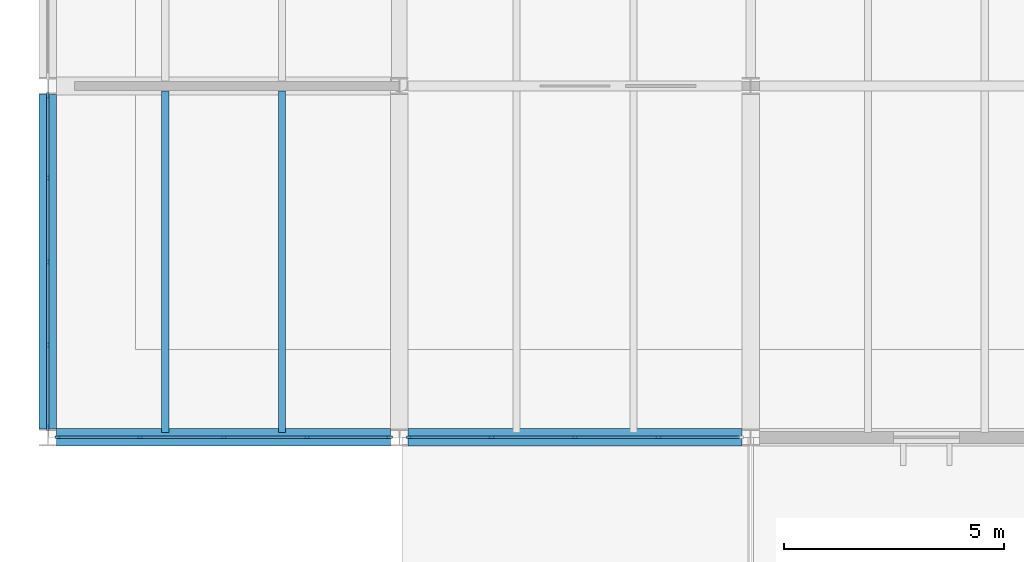
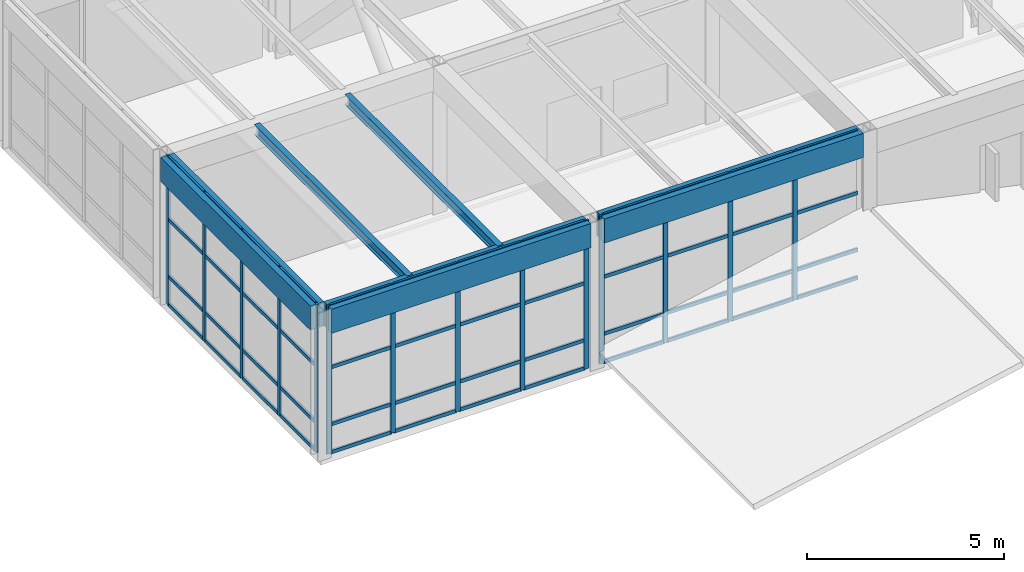
# One storey, part 9 of 60: 62 members, 5 beams, 3 elements without a shape of their own.
"""IFC4 building model written with IfcOpenShell, lengths in metres."""

from ifc_helpers import new_model, si_unit, direction, frame, origin, origin_2d, place, context, subcontext, project, spatial, rectangle, i_section, extrude, material, layer, layer_set, material_profile, profile_set, type_object, element, aggregate, save


model = new_model("IFC4")

# Units and contexts
model_context = context("Model", 3, precision=1e-05, world=origin(), true_north=direction((0.0, 1.0)))
body_context = subcontext(model_context, "Body", "Model", "MODEL_VIEW")
ifc_project = project(units=[si_unit("LENGTHUNIT", "METRE"), si_unit("AREAUNIT", "SQUARE_METRE"), si_unit("VOLUMEUNIT", "CUBIC_METRE"), si_unit("PLANEANGLEUNIT", "RADIAN"), si_unit("MASSUNIT", "GRAM", prefix="KILO")], contexts=[model_context])

# Site, building, storey
site_placement = place(None, origin())
site = spatial("IfcSite", under=ifc_project, at=site_placement, CompositionType="ELEMENT")
building_placement = place(site_placement, origin())
building = spatial("IfcBuilding", under=site, at=building_placement, Name="Varnela Railside Interchange", CompositionType="ELEMENT")
storey_placement = place(building_placement, frame((0.0, 0.0, 6.300048828125)))
storey = spatial("IfcBuildingStorey", under=building, at=storey_placement, Name="L01", CompositionType="ELEMENT", Elevation=6.300048828125)

# Beams
ifc_material_1 = material(Name="Steel AR 350 (350 MPa)", Category="steel")
ifc_material_profile_1 = material_profile(ifc_material_1, i_section(OverallWidth=0.1650390625, OverallDepth=0.31005859375, WebThickness=0.005859375, FlangeThickness=0.009765625, at=origin_2d()), Name="W310x38.7")
ifc_profile_set_1 = profile_set([ifc_material_profile_1], Name="Steel AR 350 (350 MPa)")
beam_type_1 = type_object("IfcBeamType", Name="Composite Floor Joist J-04", PredefinedType="JOIST", material=ifc_profile_set_1)
for number, where, z_axis, x_axis, name in (
    (1, (6.669921875, 38.114501953125, 4.445068359375), (0.0, 1.0, 0.0), (-1.0, 0.0, 0.0), "Composite Floor Joist J-04 (L01) (BM-1460)"),
    (2, (9.330078125, 38.114501953125, 4.445068359375), (0.0, 1.0, 0.0), (-1.0, 0.0, 0.0), "Composite Floor Joist J-04 (L01) (BM-1461)"),
):
    element("IfcBeam", number, at=place(storey_placement, frame(where, z_axis=z_axis, x_axis=x_axis)), inside=storey, type_object=beam_type_1, Name=name, PredefinedType="JOIST", context=body_context, shape_type="SweptSolid", body=[
        extrude(i_section(OverallWidth=0.1650390625, OverallDepth=0.31005859375, WebThickness=0.005859375, FlangeThickness=0.009765625, at=origin_2d()), origin(), (0.0, 0.0, 1.0), 7.77099609375),
    ])

# Curtain wall, members
ifc_material_2 = material(Name="Aluminium 6063-T6", Category="aluminium")
ifc_layer = layer(ifc_material_2, 0.035888671875)
ifc_layer_set = layer_set([ifc_layer], Name="Aluminium 6063-T6")
curtain_wall_type = type_object("IfcCurtainWallType", Name="Operations Wing Facade Curtain Wall CW-03", PredefinedType="USERDEFINED", material=ifc_layer_set)
curtain_wall_1_placement = place(storey_placement, origin())
curtain_wall_1 = element("IfcCurtainWall", 3, at=curtain_wall_1_placement, inside=storey, type_object=curtain_wall_type, Name="Curtain Wall CW-03 (L01) (CW-019)", ObjectType="CURTAIN WALL", PredefinedType="USERDEFINED")
ifc_material_profile_2 = material_profile(ifc_material_2, rectangle(XDim=0.06005859375, YDim=0.139892578125, at=origin_2d()), Name="ALU 60x140")
ifc_profile_set_2 = profile_set([ifc_material_profile_2], Name="Aluminium 6063-T6")
member_type_1 = type_object("IfcMemberType", Name="Curtain Wall Mullion ML-01", PredefinedType="MULLION", material=ifc_profile_set_2)
member_1_placement = place(storey_placement, frame((4.0, 38.223388671875, 0.0), z_axis=(0.0, 0.0, 1.0), x_axis=(-1.0, 0.0, 0.0)))
member_1 = element("IfcMember", 4, at=member_1_placement, type_object=member_type_1, Name="CW-03 mullion 1", PredefinedType="MULLION", context=body_context, shape_type="SweptSolid", body=[
    extrude(rectangle(XDim=0.06005859375, YDim=0.139892578125, at=origin_2d()), origin(), (0.0, 0.0, 1.0), 4.599853515625),
])
member_2_placement = place(storey_placement, frame((4.0, 40.0966796875, 0.0), z_axis=(0.0, 0.0, 1.0), x_axis=(-1.0, 0.0, 0.0)))
member_2 = element("IfcMember", 5, at=member_2_placement, type_object=member_type_1, Name="CW-03 mullion 2", PredefinedType="MULLION", context=body_context, shape_type="SweptSolid", body=[
    extrude(rectangle(XDim=0.06005859375, YDim=0.139892578125, at=origin_2d()), origin(), (0.0, 0.0, 1.0), 4.599853515625),
])
member_3_placement = place(storey_placement, frame((4.0, 42.0, 0.0), z_axis=(0.0, 0.0, 1.0), x_axis=(-1.0, 0.0, 0.0)))
member_3 = element("IfcMember", 6, at=member_3_placement, type_object=member_type_1, Name="CW-03 mullion 3", PredefinedType="MULLION", context=body_context, shape_type="SweptSolid", body=[
    extrude(rectangle(XDim=0.06005859375, YDim=0.139892578125, at=origin_2d()), origin(), (0.0, 0.0, 1.0), 4.599853515625),
])
member_4_placement = place(storey_placement, frame((4.0, 43.9033203125, 0.0), z_axis=(0.0, 0.0, 1.0), x_axis=(-1.0, 0.0, 0.0)))
member_4 = element("IfcMember", 7, at=member_4_placement, type_object=member_type_1, Name="CW-03 mullion 4", PredefinedType="MULLION", context=body_context, shape_type="SweptSolid", body=[
    extrude(rectangle(XDim=0.06005859375, YDim=0.139892578125, at=origin_2d()), origin(), (0.0, 0.0, 1.0), 4.599853515625),
])
member_5_placement = place(storey_placement, frame((4.0, 45.776611328125, 0.0), z_axis=(0.0, 0.0, 1.0), x_axis=(-1.0, 0.0, 0.0)))
member_5 = element("IfcMember", 8, at=member_5_placement, type_object=member_type_1, Name="CW-03 mullion 5", PredefinedType="MULLION", context=body_context, shape_type="SweptSolid", body=[
    extrude(rectangle(XDim=0.06005859375, YDim=0.139892578125, at=origin_2d()), origin(), (0.0, 0.0, 1.0), 4.599853515625),
])

curtain_wall_2_placement = place(storey_placement, origin())
curtain_wall_2 = element("IfcCurtainWall", 9, at=curtain_wall_2_placement, inside=storey, type_object=curtain_wall_type, Name="Curtain Wall CW-03 (L01) (CW-043)", ObjectType="CURTAIN WALL", PredefinedType="USERDEFINED")
member_6_placement = place(storey_placement, frame((17.900390625, 38.0, 0.0), z_axis=(0.0, 0.0, 1.0), x_axis=(0.0, -1.0, 0.0)))
member_6 = element("IfcMember", 10, at=member_6_placement, type_object=member_type_1, Name="CW-03 mullion 2", PredefinedType="MULLION", context=body_context, shape_type="SweptSolid", body=[
    extrude(rectangle(XDim=0.06005859375, YDim=0.139892578125, at=origin_2d()), origin(), (0.0, 0.0, 1.0), 4.599853515625),
])
member_7_placement = place(storey_placement, frame((16.0, 38.0, 0.0), z_axis=(0.0, 0.0, 1.0), x_axis=(0.0, -1.0, 0.0)))
member_7 = element("IfcMember", 11, at=member_7_placement, type_object=member_type_1, Name="CW-03 mullion 3", PredefinedType="MULLION", context=body_context, shape_type="SweptSolid", body=[
    extrude(rectangle(XDim=0.06005859375, YDim=0.139892578125, at=origin_2d()), origin(), (0.0, 0.0, 1.0), 4.599853515625),
])
member_8_placement = place(storey_placement, frame((14.099609375, 38.0, 0.0), z_axis=(0.0, 0.0, 1.0), x_axis=(0.0, -1.0, 0.0)))
member_8 = element("IfcMember", 12, at=member_8_placement, type_object=member_type_1, Name="CW-03 mullion 4", PredefinedType="MULLION", context=body_context, shape_type="SweptSolid", body=[
    extrude(rectangle(XDim=0.06005859375, YDim=0.139892578125, at=origin_2d()), origin(), (0.0, 0.0, 1.0), 4.599853515625),
])
member_9_placement = place(storey_placement, frame((12.22900390625, 38.0, 0.0), z_axis=(0.0, 0.0, 1.0), x_axis=(0.0, -1.0, 0.0)))
member_9 = element("IfcMember", 13, at=member_9_placement, type_object=member_type_1, Name="CW-03 mullion 5", PredefinedType="MULLION", context=body_context, shape_type="SweptSolid", body=[
    extrude(rectangle(XDim=0.06005859375, YDim=0.139892578125, at=origin_2d()), origin(), (0.0, 0.0, 1.0), 4.599853515625),
])

curtain_wall_3_placement = place(storey_placement, origin())
curtain_wall_3 = element("IfcCurtainWall", 14, at=curtain_wall_3_placement, inside=storey, type_object=curtain_wall_type, Name="Curtain Wall CW-03 (L01) (CW-044)", ObjectType="CURTAIN WALL", PredefinedType="USERDEFINED")
member_10_placement = place(storey_placement, frame((11.77099609375, 38.0, 0.0), z_axis=(0.0, 0.0, 1.0), x_axis=(0.0, -1.0, 0.0)))
member_10 = element("IfcMember", 15, at=member_10_placement, type_object=member_type_1, Name="CW-03 mullion 1", PredefinedType="MULLION", context=body_context, shape_type="SweptSolid", body=[
    extrude(rectangle(XDim=0.06005859375, YDim=0.139892578125, at=origin_2d()), origin(), (0.0, 0.0, 1.0), 4.599853515625),
])
member_11_placement = place(storey_placement, frame((9.900390625, 38.0, 0.0), z_axis=(0.0, 0.0, 1.0), x_axis=(0.0, -1.0, 0.0)))
member_11 = element("IfcMember", 16, at=member_11_placement, type_object=member_type_1, Name="CW-03 mullion 2", PredefinedType="MULLION", context=body_context, shape_type="SweptSolid", body=[
    extrude(rectangle(XDim=0.06005859375, YDim=0.139892578125, at=origin_2d()), origin(), (0.0, 0.0, 1.0), 4.599853515625),
])
member_12_placement = place(storey_placement, frame((8.0, 38.0, 0.0), z_axis=(0.0, 0.0, 1.0), x_axis=(0.0, -1.0, 0.0)))
member_12 = element("IfcMember", 17, at=member_12_placement, type_object=member_type_1, Name="CW-03 mullion 3", PredefinedType="MULLION", context=body_context, shape_type="SweptSolid", body=[
    extrude(rectangle(XDim=0.06005859375, YDim=0.139892578125, at=origin_2d()), origin(), (0.0, 0.0, 1.0), 4.599853515625),
])
member_13_placement = place(storey_placement, frame((6.099609375, 38.0, 0.0), z_axis=(0.0, 0.0, 1.0), x_axis=(0.0, -1.0, 0.0)))
member_13 = element("IfcMember", 18, at=member_13_placement, type_object=member_type_1, Name="CW-03 mullion 4", PredefinedType="MULLION", context=body_context, shape_type="SweptSolid", body=[
    extrude(rectangle(XDim=0.06005859375, YDim=0.139892578125, at=origin_2d()), origin(), (0.0, 0.0, 1.0), 4.599853515625),
])
member_14_placement = place(storey_placement, frame((4.22900390625, 38.0, 0.0), z_axis=(0.0, 0.0, 1.0), x_axis=(0.0, -1.0, 0.0)))
member_14 = element("IfcMember", 19, at=member_14_placement, type_object=member_type_1, Name="CW-03 mullion 5", PredefinedType="MULLION", context=body_context, shape_type="SweptSolid", body=[
    extrude(rectangle(XDim=0.06005859375, YDim=0.139892578125, at=origin_2d()), origin(), (0.0, 0.0, 1.0), 4.599853515625),
])

# Member
ifc_material_profile_3 = material_profile(ifc_material_2, rectangle(XDim=0.06005859375, YDim=0.110107421875, at=origin_2d()), Name="ALU 60x110")
ifc_profile_set_3 = profile_set([ifc_material_profile_3], Name="Aluminium 6063-T6")
member_type_2 = type_object("IfcMemberType", Name="Curtain Wall Transom TR-01", PredefinedType="USERDEFINED", material=ifc_profile_set_3)
member_15_placement = place(storey_placement, frame((4.0, 38.25341796875, 0.030029296875), z_axis=(0.0, 1.0, 0.0), x_axis=(-1.0, 0.0, 0.0)))
member_15 = element("IfcMember", 20, at=member_15_placement, type_object=member_type_2, Name="CW-03 transom 1.1", ObjectType="TRANSOM", PredefinedType="USERDEFINED", context=body_context, shape_type="SweptSolid", body=[
    extrude(rectangle(XDim=0.06005859375, YDim=0.110107421875, at=origin_2d()), origin(), (0.0, 0.0, 1.0), 1.813232421875),
])

member_16_placement = place(storey_placement, frame((4.0, 38.25341796875, 0.89990234375), z_axis=(0.0, 1.0, 0.0), x_axis=(-1.0, 0.0, 0.0)))
member_16 = element("IfcMember", 21, at=member_16_placement, type_object=member_type_2, Name="CW-03 transom 1.2", ObjectType="TRANSOM", PredefinedType="USERDEFINED", context=body_context, shape_type="SweptSolid", body=[
    extrude(rectangle(XDim=0.06005859375, YDim=0.110107421875, at=origin_2d()), origin(), (0.0, 0.0, 1.0), 1.813232421875),
])

member_17_placement = place(storey_placement, frame((4.0, 38.25341796875, 2.66796875), z_axis=(0.0, 1.0, 0.0), x_axis=(-1.0, 0.0, 0.0)))
member_17 = element("IfcMember", 22, at=member_17_placement, type_object=member_type_2, Name="CW-03 transom 1.3", ObjectType="TRANSOM", PredefinedType="USERDEFINED", context=body_context, shape_type="SweptSolid", body=[
    extrude(rectangle(XDim=0.06005859375, YDim=0.110107421875, at=origin_2d()), origin(), (0.0, 0.0, 1.0), 1.813232421875),
])

member_18_placement = place(storey_placement, frame((4.0, 38.25341796875, 4.570068359375), z_axis=(0.0, 1.0, 0.0), x_axis=(-1.0, 0.0, 0.0)))
member_18 = element("IfcMember", 23, at=member_18_placement, type_object=member_type_2, Name="CW-03 transom 1.4", ObjectType="TRANSOM", PredefinedType="USERDEFINED", context=body_context, shape_type="SweptSolid", body=[
    extrude(rectangle(XDim=0.06005859375, YDim=0.110107421875, at=origin_2d()), origin(), (0.0, 0.0, 1.0), 1.813232421875),
])

member_19_placement = place(storey_placement, frame((4.0, 40.126708984375, 0.030029296875), z_axis=(0.0, 1.0, 0.0), x_axis=(-1.0, 0.0, 0.0)))
member_19 = element("IfcMember", 24, at=member_19_placement, type_object=member_type_2, Name="CW-03 transom 2.1", ObjectType="TRANSOM", PredefinedType="USERDEFINED", context=body_context, shape_type="SweptSolid", body=[
    extrude(rectangle(XDim=0.06005859375, YDim=0.110107421875, at=origin_2d()), origin(), (0.0, 0.0, 1.0), 1.84326171875),
])

member_20_placement = place(storey_placement, frame((4.0, 40.126708984375, 0.89990234375), z_axis=(0.0, 1.0, 0.0), x_axis=(-1.0, 0.0, 0.0)))
member_20 = element("IfcMember", 25, at=member_20_placement, type_object=member_type_2, Name="CW-03 transom 2.2", ObjectType="TRANSOM", PredefinedType="USERDEFINED", context=body_context, shape_type="SweptSolid", body=[
    extrude(rectangle(XDim=0.06005859375, YDim=0.110107421875, at=origin_2d()), origin(), (0.0, 0.0, 1.0), 1.84326171875),
])

member_21_placement = place(storey_placement, frame((4.0, 40.126708984375, 2.66796875), z_axis=(0.0, 1.0, 0.0), x_axis=(-1.0, 0.0, 0.0)))
member_21 = element("IfcMember", 26, at=member_21_placement, type_object=member_type_2, Name="CW-03 transom 2.3", ObjectType="TRANSOM", PredefinedType="USERDEFINED", context=body_context, shape_type="SweptSolid", body=[
    extrude(rectangle(XDim=0.06005859375, YDim=0.110107421875, at=origin_2d()), origin(), (0.0, 0.0, 1.0), 1.84326171875),
])

member_22_placement = place(storey_placement, frame((4.0, 40.126708984375, 4.570068359375), z_axis=(0.0, 1.0, 0.0), x_axis=(-1.0, 0.0, 0.0)))
member_22 = element("IfcMember", 27, at=member_22_placement, type_object=member_type_2, Name="CW-03 transom 2.4", ObjectType="TRANSOM", PredefinedType="USERDEFINED", context=body_context, shape_type="SweptSolid", body=[
    extrude(rectangle(XDim=0.06005859375, YDim=0.110107421875, at=origin_2d()), origin(), (0.0, 0.0, 1.0), 1.84326171875),
])

member_23_placement = place(storey_placement, frame((4.0, 42.030029296875, 0.030029296875), z_axis=(0.0, 1.0, 0.0), x_axis=(-1.0, 0.0, 0.0)))
member_23 = element("IfcMember", 28, at=member_23_placement, type_object=member_type_2, Name="CW-03 transom 3.1", ObjectType="TRANSOM", PredefinedType="USERDEFINED", context=body_context, shape_type="SweptSolid", body=[
    extrude(rectangle(XDim=0.06005859375, YDim=0.110107421875, at=origin_2d()), origin(), (0.0, 0.0, 1.0), 1.84326171875),
])

member_24_placement = place(storey_placement, frame((4.0, 42.030029296875, 0.89990234375), z_axis=(0.0, 1.0, 0.0), x_axis=(-1.0, 0.0, 0.0)))
member_24 = element("IfcMember", 29, at=member_24_placement, type_object=member_type_2, Name="CW-03 transom 3.2", ObjectType="TRANSOM", PredefinedType="USERDEFINED", context=body_context, shape_type="SweptSolid", body=[
    extrude(rectangle(XDim=0.06005859375, YDim=0.110107421875, at=origin_2d()), origin(), (0.0, 0.0, 1.0), 1.84326171875),
])

member_25_placement = place(storey_placement, frame((4.0, 42.030029296875, 2.66796875), z_axis=(0.0, 1.0, 0.0), x_axis=(-1.0, 0.0, 0.0)))
member_25 = element("IfcMember", 30, at=member_25_placement, type_object=member_type_2, Name="CW-03 transom 3.3", ObjectType="TRANSOM", PredefinedType="USERDEFINED", context=body_context, shape_type="SweptSolid", body=[
    extrude(rectangle(XDim=0.06005859375, YDim=0.110107421875, at=origin_2d()), origin(), (0.0, 0.0, 1.0), 1.84326171875),
])

member_26_placement = place(storey_placement, frame((4.0, 42.030029296875, 4.570068359375), z_axis=(0.0, 1.0, 0.0), x_axis=(-1.0, 0.0, 0.0)))
member_26 = element("IfcMember", 31, at=member_26_placement, type_object=member_type_2, Name="CW-03 transom 3.4", ObjectType="TRANSOM", PredefinedType="USERDEFINED", context=body_context, shape_type="SweptSolid", body=[
    extrude(rectangle(XDim=0.06005859375, YDim=0.110107421875, at=origin_2d()), origin(), (0.0, 0.0, 1.0), 1.84326171875),
])

member_27_placement = place(storey_placement, frame((4.0, 43.933349609375, 0.030029296875), z_axis=(0.0, 1.0, 0.0), x_axis=(-1.0, 0.0, 0.0)))
member_27 = element("IfcMember", 32, at=member_27_placement, type_object=member_type_2, Name="CW-03 transom 4.1", ObjectType="TRANSOM", PredefinedType="USERDEFINED", context=body_context, shape_type="SweptSolid", body=[
    extrude(rectangle(XDim=0.06005859375, YDim=0.110107421875, at=origin_2d()), origin(), (0.0, 0.0, 1.0), 1.813232421875),
])

member_28_placement = place(storey_placement, frame((4.0, 43.933349609375, 0.89990234375), z_axis=(0.0, 1.0, 0.0), x_axis=(-1.0, 0.0, 0.0)))
member_28 = element("IfcMember", 33, at=member_28_placement, type_object=member_type_2, Name="CW-03 transom 4.2", ObjectType="TRANSOM", PredefinedType="USERDEFINED", context=body_context, shape_type="SweptSolid", body=[
    extrude(rectangle(XDim=0.06005859375, YDim=0.110107421875, at=origin_2d()), origin(), (0.0, 0.0, 1.0), 1.813232421875),
])

member_29_placement = place(storey_placement, frame((4.0, 43.933349609375, 2.66796875), z_axis=(0.0, 1.0, 0.0), x_axis=(-1.0, 0.0, 0.0)))
member_29 = element("IfcMember", 34, at=member_29_placement, type_object=member_type_2, Name="CW-03 transom 4.3", ObjectType="TRANSOM", PredefinedType="USERDEFINED", context=body_context, shape_type="SweptSolid", body=[
    extrude(rectangle(XDim=0.06005859375, YDim=0.110107421875, at=origin_2d()), origin(), (0.0, 0.0, 1.0), 1.813232421875),
])

member_30_placement = place(storey_placement, frame((4.0, 43.933349609375, 4.570068359375), z_axis=(0.0, 1.0, 0.0), x_axis=(-1.0, 0.0, 0.0)))
member_30 = element("IfcMember", 35, at=member_30_placement, type_object=member_type_2, Name="CW-03 transom 4.4", ObjectType="TRANSOM", PredefinedType="USERDEFINED", context=body_context, shape_type="SweptSolid", body=[
    extrude(rectangle(XDim=0.06005859375, YDim=0.110107421875, at=origin_2d()), origin(), (0.0, 0.0, 1.0), 1.813232421875),
])

aggregate(curtain_wall_1, [member_1, member_2, member_3, member_4, member_5, member_15, member_16, member_17, member_18, member_19, member_20, member_21, member_22, member_23, member_24, member_25, member_26, member_27, member_28, member_29, member_30])

member_31_placement = place(storey_placement, frame((19.740966796875, 38.0, 0.030029296875), z_axis=(-1.0, 0.0, 0.0), x_axis=(0.0, -1.0, 0.0)))
member_31 = element("IfcMember", 36, at=member_31_placement, type_object=member_type_2, Name="CW-03 transom 1.1", ObjectType="TRANSOM", PredefinedType="USERDEFINED", context=body_context, shape_type="SweptSolid", body=[
    extrude(rectangle(XDim=0.06005859375, YDim=0.110107421875, at=origin_2d()), origin(), (0.0, 0.0, 1.0), 1.810546875),
])

member_32_placement = place(storey_placement, frame((19.740966796875, 38.0, 0.89990234375), z_axis=(-1.0, 0.0, 0.0), x_axis=(0.0, -1.0, 0.0)))
member_32 = element("IfcMember", 37, at=member_32_placement, type_object=member_type_2, Name="CW-03 transom 1.2", ObjectType="TRANSOM", PredefinedType="USERDEFINED", context=body_context, shape_type="SweptSolid", body=[
    extrude(rectangle(XDim=0.06005859375, YDim=0.110107421875, at=origin_2d()), origin(), (0.0, 0.0, 1.0), 1.810546875),
])

member_33_placement = place(storey_placement, frame((19.740966796875, 38.0, 2.66796875), z_axis=(-1.0, 0.0, 0.0), x_axis=(0.0, -1.0, 0.0)))
member_33 = element("IfcMember", 38, at=member_33_placement, type_object=member_type_2, Name="CW-03 transom 1.3", ObjectType="TRANSOM", PredefinedType="USERDEFINED", context=body_context, shape_type="SweptSolid", body=[
    extrude(rectangle(XDim=0.06005859375, YDim=0.110107421875, at=origin_2d()), origin(), (0.0, 0.0, 1.0), 1.810546875),
])

member_34_placement = place(storey_placement, frame((19.740966796875, 38.0, 4.570068359375), z_axis=(-1.0, 0.0, 0.0), x_axis=(0.0, -1.0, 0.0)))
member_34 = element("IfcMember", 39, at=member_34_placement, type_object=member_type_2, Name="CW-03 transom 1.4", ObjectType="TRANSOM", PredefinedType="USERDEFINED", context=body_context, shape_type="SweptSolid", body=[
    extrude(rectangle(XDim=0.06005859375, YDim=0.110107421875, at=origin_2d()), origin(), (0.0, 0.0, 1.0), 1.810546875),
])

member_35_placement = place(storey_placement, frame((17.87060546875, 38.0, 0.030029296875), z_axis=(-1.0, 0.0, 0.0), x_axis=(0.0, -1.0, 0.0)))
member_35 = element("IfcMember", 40, at=member_35_placement, type_object=member_type_2, Name="CW-03 transom 2.1", ObjectType="TRANSOM", PredefinedType="USERDEFINED", context=body_context, shape_type="SweptSolid", body=[
    extrude(rectangle(XDim=0.06005859375, YDim=0.110107421875, at=origin_2d()), origin(), (0.0, 0.0, 1.0), 1.840576171875),
])

member_36_placement = place(storey_placement, frame((17.87060546875, 38.0, 0.89990234375), z_axis=(-1.0, 0.0, 0.0), x_axis=(0.0, -1.0, 0.0)))
member_36 = element("IfcMember", 41, at=member_36_placement, type_object=member_type_2, Name="CW-03 transom 2.2", ObjectType="TRANSOM", PredefinedType="USERDEFINED", context=body_context, shape_type="SweptSolid", body=[
    extrude(rectangle(XDim=0.06005859375, YDim=0.110107421875, at=origin_2d()), origin(), (0.0, 0.0, 1.0), 1.840576171875),
])

member_37_placement = place(storey_placement, frame((17.87060546875, 38.0, 2.66796875), z_axis=(-1.0, 0.0, 0.0), x_axis=(0.0, -1.0, 0.0)))
member_37 = element("IfcMember", 42, at=member_37_placement, type_object=member_type_2, Name="CW-03 transom 2.3", ObjectType="TRANSOM", PredefinedType="USERDEFINED", context=body_context, shape_type="SweptSolid", body=[
    extrude(rectangle(XDim=0.06005859375, YDim=0.110107421875, at=origin_2d()), origin(), (0.0, 0.0, 1.0), 1.840576171875),
])

member_38_placement = place(storey_placement, frame((17.87060546875, 38.0, 4.570068359375), z_axis=(-1.0, 0.0, 0.0), x_axis=(0.0, -1.0, 0.0)))
member_38 = element("IfcMember", 43, at=member_38_placement, type_object=member_type_2, Name="CW-03 transom 2.4", ObjectType="TRANSOM", PredefinedType="USERDEFINED", context=body_context, shape_type="SweptSolid", body=[
    extrude(rectangle(XDim=0.06005859375, YDim=0.110107421875, at=origin_2d()), origin(), (0.0, 0.0, 1.0), 1.840576171875),
])

member_39_placement = place(storey_placement, frame((15.969970703125, 38.0, 0.030029296875), z_axis=(-1.0, 0.0, 0.0), x_axis=(0.0, -1.0, 0.0)))
member_39 = element("IfcMember", 44, at=member_39_placement, type_object=member_type_2, Name="CW-03 transom 3.1", ObjectType="TRANSOM", PredefinedType="USERDEFINED", context=body_context, shape_type="SweptSolid", body=[
    extrude(rectangle(XDim=0.06005859375, YDim=0.110107421875, at=origin_2d()), origin(), (0.0, 0.0, 1.0), 1.840576171875),
])

member_40_placement = place(storey_placement, frame((15.969970703125, 38.0, 0.89990234375), z_axis=(-1.0, 0.0, 0.0), x_axis=(0.0, -1.0, 0.0)))
member_40 = element("IfcMember", 45, at=member_40_placement, type_object=member_type_2, Name="CW-03 transom 3.2", ObjectType="TRANSOM", PredefinedType="USERDEFINED", context=body_context, shape_type="SweptSolid", body=[
    extrude(rectangle(XDim=0.06005859375, YDim=0.110107421875, at=origin_2d()), origin(), (0.0, 0.0, 1.0), 1.840576171875),
])

member_41_placement = place(storey_placement, frame((15.969970703125, 38.0, 2.66796875), z_axis=(-1.0, 0.0, 0.0), x_axis=(0.0, -1.0, 0.0)))
member_41 = element("IfcMember", 46, at=member_41_placement, type_object=member_type_2, Name="CW-03 transom 3.3", ObjectType="TRANSOM", PredefinedType="USERDEFINED", context=body_context, shape_type="SweptSolid", body=[
    extrude(rectangle(XDim=0.06005859375, YDim=0.110107421875, at=origin_2d()), origin(), (0.0, 0.0, 1.0), 1.840576171875),
])

member_42_placement = place(storey_placement, frame((15.969970703125, 38.0, 4.570068359375), z_axis=(-1.0, 0.0, 0.0), x_axis=(0.0, -1.0, 0.0)))
member_42 = element("IfcMember", 47, at=member_42_placement, type_object=member_type_2, Name="CW-03 transom 3.4", ObjectType="TRANSOM", PredefinedType="USERDEFINED", context=body_context, shape_type="SweptSolid", body=[
    extrude(rectangle(XDim=0.06005859375, YDim=0.110107421875, at=origin_2d()), origin(), (0.0, 0.0, 1.0), 1.840576171875),
])

member_43_placement = place(storey_placement, frame((14.069580078125, 38.0, 0.030029296875), z_axis=(-1.0, 0.0, 0.0), x_axis=(0.0, -1.0, 0.0)))
member_43 = element("IfcMember", 48, at=member_43_placement, type_object=member_type_2, Name="CW-03 transom 4.1", ObjectType="TRANSOM", PredefinedType="USERDEFINED", context=body_context, shape_type="SweptSolid", body=[
    extrude(rectangle(XDim=0.06005859375, YDim=0.110107421875, at=origin_2d()), origin(), (0.0, 0.0, 1.0), 1.810546875),
])

member_44_placement = place(storey_placement, frame((14.069580078125, 38.0, 0.89990234375), z_axis=(-1.0, 0.0, 0.0), x_axis=(0.0, -1.0, 0.0)))
member_44 = element("IfcMember", 49, at=member_44_placement, type_object=member_type_2, Name="CW-03 transom 4.2", ObjectType="TRANSOM", PredefinedType="USERDEFINED", context=body_context, shape_type="SweptSolid", body=[
    extrude(rectangle(XDim=0.06005859375, YDim=0.110107421875, at=origin_2d()), origin(), (0.0, 0.0, 1.0), 1.810546875),
])

member_45_placement = place(storey_placement, frame((14.069580078125, 38.0, 2.66796875), z_axis=(-1.0, 0.0, 0.0), x_axis=(0.0, -1.0, 0.0)))
member_45 = element("IfcMember", 50, at=member_45_placement, type_object=member_type_2, Name="CW-03 transom 4.3", ObjectType="TRANSOM", PredefinedType="USERDEFINED", context=body_context, shape_type="SweptSolid", body=[
    extrude(rectangle(XDim=0.06005859375, YDim=0.110107421875, at=origin_2d()), origin(), (0.0, 0.0, 1.0), 1.810546875),
])

member_46_placement = place(storey_placement, frame((14.069580078125, 38.0, 4.570068359375), z_axis=(-1.0, 0.0, 0.0), x_axis=(0.0, -1.0, 0.0)))
member_46 = element("IfcMember", 51, at=member_46_placement, type_object=member_type_2, Name="CW-03 transom 4.4", ObjectType="TRANSOM", PredefinedType="USERDEFINED", context=body_context, shape_type="SweptSolid", body=[
    extrude(rectangle(XDim=0.06005859375, YDim=0.110107421875, at=origin_2d()), origin(), (0.0, 0.0, 1.0), 1.810546875),
])

aggregate(curtain_wall_2, [member_6, member_7, member_8, member_9, member_31, member_32, member_33, member_34, member_35, member_36, member_37, member_38, member_39, member_40, member_41, member_42, member_43, member_44, member_45, member_46])

member_47_placement = place(storey_placement, frame((11.740966796875, 38.0, 0.030029296875), z_axis=(-1.0, 0.0, 0.0), x_axis=(0.0, -1.0, 0.0)))
member_47 = element("IfcMember", 52, at=member_47_placement, type_object=member_type_2, Name="CW-03 transom 1.1", ObjectType="TRANSOM", PredefinedType="USERDEFINED", context=body_context, shape_type="SweptSolid", body=[
    extrude(rectangle(XDim=0.06005859375, YDim=0.110107421875, at=origin_2d()), origin(), (0.0, 0.0, 1.0), 1.810546875),
])

member_48_placement = place(storey_placement, frame((11.740966796875, 38.0, 0.89990234375), z_axis=(-1.0, 0.0, 0.0), x_axis=(0.0, -1.0, 0.0)))
member_48 = element("IfcMember", 53, at=member_48_placement, type_object=member_type_2, Name="CW-03 transom 1.2", ObjectType="TRANSOM", PredefinedType="USERDEFINED", context=body_context, shape_type="SweptSolid", body=[
    extrude(rectangle(XDim=0.06005859375, YDim=0.110107421875, at=origin_2d()), origin(), (0.0, 0.0, 1.0), 1.810546875),
])

member_49_placement = place(storey_placement, frame((11.740966796875, 38.0, 2.66796875), z_axis=(-1.0, 0.0, 0.0), x_axis=(0.0, -1.0, 0.0)))
member_49 = element("IfcMember", 54, at=member_49_placement, type_object=member_type_2, Name="CW-03 transom 1.3", ObjectType="TRANSOM", PredefinedType="USERDEFINED", context=body_context, shape_type="SweptSolid", body=[
    extrude(rectangle(XDim=0.06005859375, YDim=0.110107421875, at=origin_2d()), origin(), (0.0, 0.0, 1.0), 1.810546875),
])

member_50_placement = place(storey_placement, frame((11.740966796875, 38.0, 4.570068359375), z_axis=(-1.0, 0.0, 0.0), x_axis=(0.0, -1.0, 0.0)))
member_50 = element("IfcMember", 55, at=member_50_placement, type_object=member_type_2, Name="CW-03 transom 1.4", ObjectType="TRANSOM", PredefinedType="USERDEFINED", context=body_context, shape_type="SweptSolid", body=[
    extrude(rectangle(XDim=0.06005859375, YDim=0.110107421875, at=origin_2d()), origin(), (0.0, 0.0, 1.0), 1.810546875),
])

member_51_placement = place(storey_placement, frame((9.87060546875, 38.0, 0.030029296875), z_axis=(-1.0, 0.0, 0.0), x_axis=(0.0, -1.0, 0.0)))
member_51 = element("IfcMember", 56, at=member_51_placement, type_object=member_type_2, Name="CW-03 transom 2.1", ObjectType="TRANSOM", PredefinedType="USERDEFINED", context=body_context, shape_type="SweptSolid", body=[
    extrude(rectangle(XDim=0.06005859375, YDim=0.110107421875, at=origin_2d()), origin(), (0.0, 0.0, 1.0), 1.840576171875),
])

member_52_placement = place(storey_placement, frame((9.87060546875, 38.0, 0.89990234375), z_axis=(-1.0, 0.0, 0.0), x_axis=(0.0, -1.0, 0.0)))
member_52 = element("IfcMember", 57, at=member_52_placement, type_object=member_type_2, Name="CW-03 transom 2.2", ObjectType="TRANSOM", PredefinedType="USERDEFINED", context=body_context, shape_type="SweptSolid", body=[
    extrude(rectangle(XDim=0.06005859375, YDim=0.110107421875, at=origin_2d()), origin(), (0.0, 0.0, 1.0), 1.840576171875),
])

member_53_placement = place(storey_placement, frame((9.87060546875, 38.0, 2.66796875), z_axis=(-1.0, 0.0, 0.0), x_axis=(0.0, -1.0, 0.0)))
member_53 = element("IfcMember", 58, at=member_53_placement, type_object=member_type_2, Name="CW-03 transom 2.3", ObjectType="TRANSOM", PredefinedType="USERDEFINED", context=body_context, shape_type="SweptSolid", body=[
    extrude(rectangle(XDim=0.06005859375, YDim=0.110107421875, at=origin_2d()), origin(), (0.0, 0.0, 1.0), 1.840576171875),
])

member_54_placement = place(storey_placement, frame((9.87060546875, 38.0, 4.570068359375), z_axis=(-1.0, 0.0, 0.0), x_axis=(0.0, -1.0, 0.0)))
member_54 = element("IfcMember", 59, at=member_54_placement, type_object=member_type_2, Name="CW-03 transom 2.4", ObjectType="TRANSOM", PredefinedType="USERDEFINED", context=body_context, shape_type="SweptSolid", body=[
    extrude(rectangle(XDim=0.06005859375, YDim=0.110107421875, at=origin_2d()), origin(), (0.0, 0.0, 1.0), 1.840576171875),
])

member_55_placement = place(storey_placement, frame((7.969970703125, 38.0, 0.030029296875), z_axis=(-1.0, 0.0, 0.0), x_axis=(0.0, -1.0, 0.0)))
member_55 = element("IfcMember", 60, at=member_55_placement, type_object=member_type_2, Name="CW-03 transom 3.1", ObjectType="TRANSOM", PredefinedType="USERDEFINED", context=body_context, shape_type="SweptSolid", body=[
    extrude(rectangle(XDim=0.06005859375, YDim=0.110107421875, at=origin_2d()), origin(), (0.0, 0.0, 1.0), 1.840576171875),
])

member_56_placement = place(storey_placement, frame((7.969970703125, 38.0, 0.89990234375), z_axis=(-1.0, 0.0, 0.0), x_axis=(0.0, -1.0, 0.0)))
member_56 = element("IfcMember", 61, at=member_56_placement, type_object=member_type_2, Name="CW-03 transom 3.2", ObjectType="TRANSOM", PredefinedType="USERDEFINED", context=body_context, shape_type="SweptSolid", body=[
    extrude(rectangle(XDim=0.06005859375, YDim=0.110107421875, at=origin_2d()), origin(), (0.0, 0.0, 1.0), 1.840576171875),
])

member_57_placement = place(storey_placement, frame((7.969970703125, 38.0, 2.66796875), z_axis=(-1.0, 0.0, 0.0), x_axis=(0.0, -1.0, 0.0)))
member_57 = element("IfcMember", 62, at=member_57_placement, type_object=member_type_2, Name="CW-03 transom 3.3", ObjectType="TRANSOM", PredefinedType="USERDEFINED", context=body_context, shape_type="SweptSolid", body=[
    extrude(rectangle(XDim=0.06005859375, YDim=0.110107421875, at=origin_2d()), origin(), (0.0, 0.0, 1.0), 1.840576171875),
])

member_58_placement = place(storey_placement, frame((7.969970703125, 38.0, 4.570068359375), z_axis=(-1.0, 0.0, 0.0), x_axis=(0.0, -1.0, 0.0)))
member_58 = element("IfcMember", 63, at=member_58_placement, type_object=member_type_2, Name="CW-03 transom 3.4", ObjectType="TRANSOM", PredefinedType="USERDEFINED", context=body_context, shape_type="SweptSolid", body=[
    extrude(rectangle(XDim=0.06005859375, YDim=0.110107421875, at=origin_2d()), origin(), (0.0, 0.0, 1.0), 1.840576171875),
])

member_59_placement = place(storey_placement, frame((6.069580078125, 38.0, 0.030029296875), z_axis=(-1.0, 0.0, 0.0), x_axis=(0.0, -1.0, 0.0)))
member_59 = element("IfcMember", 64, at=member_59_placement, type_object=member_type_2, Name="CW-03 transom 4.1", ObjectType="TRANSOM", PredefinedType="USERDEFINED", context=body_context, shape_type="SweptSolid", body=[
    extrude(rectangle(XDim=0.06005859375, YDim=0.110107421875, at=origin_2d()), origin(), (0.0, 0.0, 1.0), 1.810546875),
])

member_60_placement = place(storey_placement, frame((6.069580078125, 38.0, 0.89990234375), z_axis=(-1.0, 0.0, 0.0), x_axis=(0.0, -1.0, 0.0)))
member_60 = element("IfcMember", 65, at=member_60_placement, type_object=member_type_2, Name="CW-03 transom 4.2", ObjectType="TRANSOM", PredefinedType="USERDEFINED", context=body_context, shape_type="SweptSolid", body=[
    extrude(rectangle(XDim=0.06005859375, YDim=0.110107421875, at=origin_2d()), origin(), (0.0, 0.0, 1.0), 1.810546875),
])

member_61_placement = place(storey_placement, frame((6.069580078125, 38.0, 2.66796875), z_axis=(-1.0, 0.0, 0.0), x_axis=(0.0, -1.0, 0.0)))
member_61 = element("IfcMember", 66, at=member_61_placement, type_object=member_type_2, Name="CW-03 transom 4.3", ObjectType="TRANSOM", PredefinedType="USERDEFINED", context=body_context, shape_type="SweptSolid", body=[
    extrude(rectangle(XDim=0.06005859375, YDim=0.110107421875, at=origin_2d()), origin(), (0.0, 0.0, 1.0), 1.810546875),
])

member_62_placement = place(storey_placement, frame((6.069580078125, 38.0, 4.570068359375), z_axis=(-1.0, 0.0, 0.0), x_axis=(0.0, -1.0, 0.0)))
member_62 = element("IfcMember", 67, at=member_62_placement, type_object=member_type_2, Name="CW-03 transom 4.4", ObjectType="TRANSOM", PredefinedType="USERDEFINED", context=body_context, shape_type="SweptSolid", body=[
    extrude(rectangle(XDim=0.06005859375, YDim=0.110107421875, at=origin_2d()), origin(), (0.0, 0.0, 1.0), 1.810546875),
])

aggregate(curtain_wall_3, [member_10, member_11, member_12, member_13, member_14, member_47, member_48, member_49, member_50, member_51, member_52, member_53, member_54, member_55, member_56, member_57, member_58, member_59, member_60, member_61, member_62])

# Beams
ifc_material_3 = material(Name="Concrete C40 precast", Category="concrete")
ifc_material_profile_4 = material_profile(ifc_material_3, rectangle(XDim=0.39990234375, YDim=0.75, at=origin_2d()), Name="PC 400x750")
ifc_profile_set_4 = profile_set([ifc_material_profile_4], Name="Concrete C40 precast")
beam_type_2 = type_object("IfcBeamType", Name="Precast Facade Spandrel SP-03", PredefinedType="SPANDREL", material=ifc_profile_set_4)
for number, where, z_axis, x_axis, name in (
    (68, (4.198974609375, 38.0, 4.224853515625), (1.0, 0.0, 0.0), (0.0, 1.0, 0.0), "Precast Facade Spandrel SP-03 (L01) (BM-1616)"),
    (69, (12.198974609375, 38.0, 4.224853515625), (1.0, 0.0, 0.0), (0.0, 1.0, 0.0), "Precast Facade Spandrel SP-03 (L01) (BM-1607)"),
):
    element("IfcBeam", number, at=place(storey_placement, frame(where, z_axis=z_axis, x_axis=x_axis)), inside=storey, type_object=beam_type_2, Name=name, PredefinedType="SPANDREL", context=body_context, shape_type="SweptSolid", body=[
        extrude(rectangle(XDim=0.39990234375, YDim=0.75, at=origin_2d()), origin(), (0.0, 0.0, 1.0), 7.60205078125),
    ])
beam_placement = place(storey_placement, frame((4.0, 38.193603515625, 4.224853515625), z_axis=(0.0, 1.0, 0.0), x_axis=(-1.0, 0.0, 0.0)))
element("IfcBeam", 70, at=beam_placement, inside=storey, type_object=beam_type_2, Name="Precast Facade Spandrel SP-03 (L01) (BM-1738)", PredefinedType="SPANDREL", context=body_context, shape_type="SweptSolid", body=[
    extrude(rectangle(XDim=0.39990234375, YDim=0.75, at=origin_2d()), origin(), (0.0, 0.0, 1.0), 7.61279296875),
])

save(model, "model.ifc")
